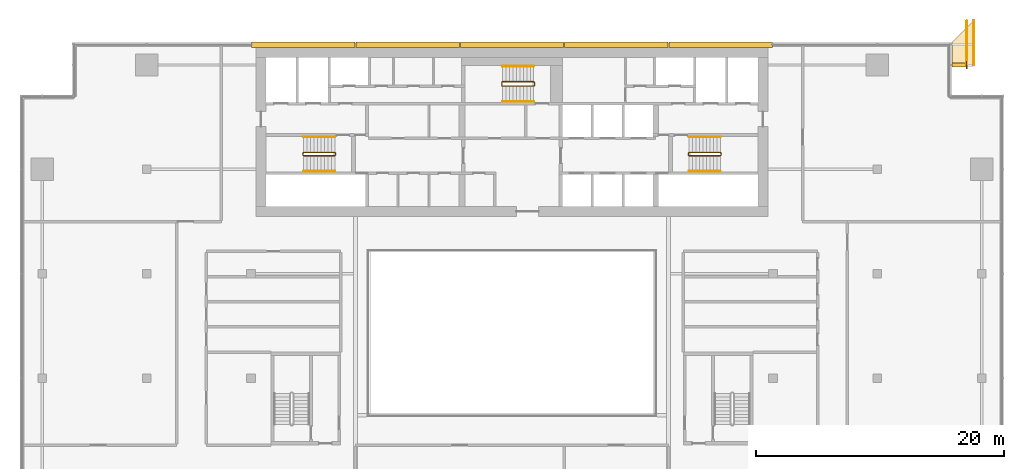
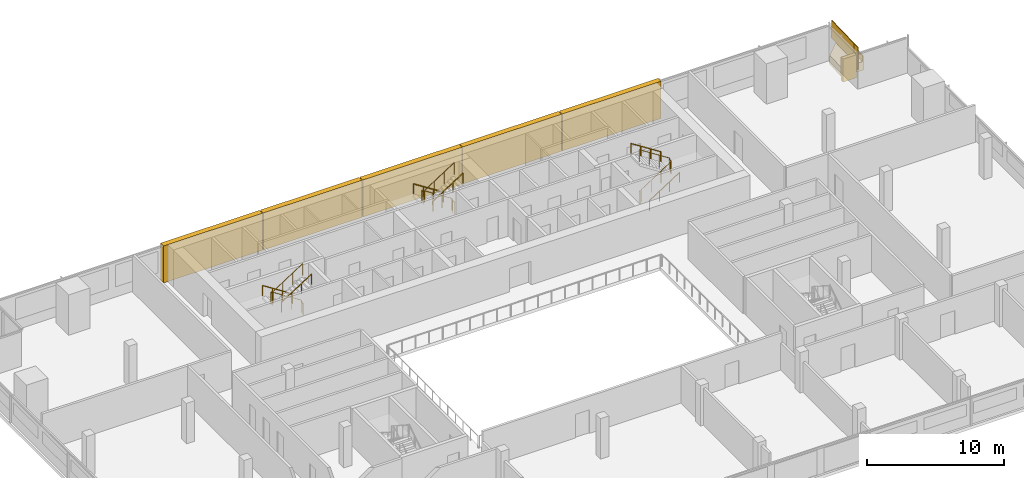
# One storey, part 24 of 24: 11 railings, 8 coverings.
"""IFC4 building model written with IfcOpenShell, lengths in metres."""

from ifc_helpers import new_model, si_unit, direction, frame, origin, origin_2d, place, context, subcontext, project, spatial, polyline, rectangle, circle, outline, extrude, material, layer, layer_set, type_object, element, save


model = new_model("IFC4")

# Units and contexts
model_context = context("Model", 3, precision=1e-05, world=origin(), true_north=direction((0.0, 1.0)))
body_context = subcontext(model_context, "Body", "Model", "MODEL_VIEW")
ifc_project = project(units=[si_unit("LENGTHUNIT", "METRE"), si_unit("AREAUNIT", "SQUARE_METRE"), si_unit("VOLUMEUNIT", "CUBIC_METRE"), si_unit("PLANEANGLEUNIT", "RADIAN"), si_unit("MASSUNIT", "GRAM", prefix="KILO")], contexts=[model_context])

# Site, building, storey
site_placement = place(None, origin())
site = spatial("IfcSite", under=ifc_project, at=site_placement, CompositionType="ELEMENT")
building_placement = place(site_placement, origin())
building = spatial("IfcBuilding", under=site, at=building_placement, Name="Saffron Gate Tower", CompositionType="ELEMENT")
storey_placement = place(building_placement, frame((0.0, 0.0, 190.64990234375)))
storey = spatial("IfcBuildingStorey", under=building, at=storey_placement, Name="L47", CompositionType="ELEMENT", Elevation=190.64990234375)

# Coverings
ifc_material_1 = material(Name="Ceramic-printed bronze insulated panel")
ifc_layer_1 = layer(ifc_material_1, 0.43994140625)
ifc_layer_set_1 = layer_set([ifc_layer_1], Name="CLD3 ceramic-printed cladding panel 440")
covering_type_1 = type_object("IfcCoveringType", Name="CLD3 ceramic-printed cladding panel 440", PredefinedType="CLADDING", material=ifc_layer_set_1)
covering_1_placement = place(storey_placement, origin())
element("IfcCovering", 1, at=covering_1_placement, inside=storey, type_object=covering_type_1, Name="CLADDING ceramic-printed panel", PredefinedType="CLADDING", context=body_context, shape_type="SweptSolid", body=[
    extrude(outline(polyline([(108.56494140625, 75.639892578125), (100.235107421875, 75.639892578125), (100.235107421875, 75.199951171875), (108.56494140625, 75.199951171875), (108.56494140625, 75.639892578125)])), origin(), (0.0, 0.0, 1.0), 3.300048828125),
])
covering_2_placement = place(storey_placement, origin())
element("IfcCovering", 2, at=covering_2_placement, inside=storey, type_object=covering_type_1, Name="CLADDING ceramic-printed panel", PredefinedType="CLADDING", context=body_context, shape_type="SweptSolid", body=[
    extrude(outline(polyline([(100.1650390625, 75.639892578125), (91.8349609375, 75.639892578125), (91.8349609375, 75.199951171875), (100.1650390625, 75.199951171875), (100.1650390625, 75.639892578125)])), origin(), (0.0, 0.0, 1.0), 3.300048828125),
])
covering_3_placement = place(storey_placement, origin())
element("IfcCovering", 3, at=covering_3_placement, inside=storey, type_object=covering_type_1, Name="CLADDING ceramic-printed panel", PredefinedType="CLADDING", context=body_context, shape_type="SweptSolid", body=[
    extrude(outline(polyline([(91.764892578125, 75.639892578125), (83.43505859375, 75.639892578125), (83.43505859375, 75.199951171875), (91.764892578125, 75.199951171875), (91.764892578125, 75.639892578125)])), origin(), (0.0, 0.0, 1.0), 3.300048828125),
])
covering_4_placement = place(storey_placement, origin())
element("IfcCovering", 4, at=covering_4_placement, inside=storey, type_object=covering_type_1, Name="CLADDING ceramic-printed panel", PredefinedType="CLADDING", context=body_context, shape_type="SweptSolid", body=[
    extrude(outline(polyline([(83.364990234375, 75.639892578125), (75.034912109375, 75.639892578125), (75.034912109375, 75.199951171875), (83.364990234375, 75.199951171875), (83.364990234375, 75.639892578125)])), origin(), (0.0, 0.0, 1.0), 3.300048828125),
])
covering_5_placement = place(storey_placement, origin())
element("IfcCovering", 5, at=covering_5_placement, inside=storey, type_object=covering_type_1, Name="CLADDING ceramic-printed panel", PredefinedType="CLADDING", context=body_context, shape_type="SweptSolid", body=[
    extrude(outline(polyline([(74.965087890625, 75.639892578125), (66.635009765625, 75.639892578125), (66.635009765625, 75.199951171875), (74.965087890625, 75.199951171875), (74.965087890625, 75.639892578125)])), origin(), (0.0, 0.0, 1.0), 3.300048828125),
])

# Railings
ifc_material_2 = material(Name="Stainless steel and laminated glass", Category="steel")
railing_type_1 = type_object("IfcRailingType", Name="CR1 Stair guard 1100", PredefinedType="GUARDRAIL", material=ifc_material_2)
railing_1_placement = place(storey_placement, frame((73.39990234375, 66.550048828125, 0.0)))
element("IfcRailing", 6, at=railing_1_placement, inside=storey, type_object=railing_type_1, Name="L47 ST-A stair guard 1", PredefinedType="GUARDRAIL", context=body_context, shape_type="SweptSolid", body=[
    extrude(circle(Radius=0.02392578125, at=origin_2d()), frame((0.0, 0.0, 1.076171875), z_axis=(0.0, 1.0, 0.0), x_axis=(-1.0, 0.0, 0.0)), (0.0, 0.0, 1.0), 0.14990234375),
    extrude(circle(Radius=0.02392578125, at=origin_2d()), frame((0.0, 0.14990234375, 1.076171875), z_axis=(-0.257366384619, 0.258627984543, 0.931060744355), x_axis=(-0.708833529934, -0.705375805398, 0.0)), (0.0, 0.0, 1.0), 0.193603515625),
    extrude(circle(Radius=0.02392578125, at=origin_2d()), frame((-0.0498046875, 0.199951171875, 1.25634765625), z_axis=(-0.841199657755, 0.0, 0.540724639528), x_axis=(0.0, -1.0, 0.0)), (0.0, 0.0, 1.0), 2.995849609375),
    extrude(circle(Radius=0.02392578125, at=origin_2d()), frame((-2.56982421875, 0.199951171875, 2.8759765625), z_axis=(-0.707106781187, -0.707106781187, 0.0), x_axis=(0.707106781187, -0.707106781187, 0.0)), (0.0, 0.0, 1.0), 0.07080078125),
    extrude(circle(Radius=0.02392578125, at=origin_2d()), frame((-2.619873046875, 0.14990234375, 2.8759765625), z_axis=(0.0, -1.0, 0.0), x_axis=(1.0, 0.0, 0.0)), (0.0, 0.0, 1.0), 0.14990234375),
    extrude(circle(Radius=0.02392578125, at=origin_2d()), frame((-2.619873046875, 0.0, 2.8759765625), z_axis=(0.258847668887, -0.258847668887, 0.930588936439), x_axis=(0.707106781187, 0.707106781187, 0.0)), (0.0, 0.0, 1.0), 0.193359375),
    extrude(circle(Radius=0.02392578125, at=origin_2d()), frame((-2.56982421875, -0.050048828125, 3.05615234375), z_axis=(0.841162588446, 0.0, 0.540782303519), x_axis=(0.0, 1.0, 0.0)), (0.0, 0.0, 1.0), 2.995849609375),
    extrude(circle(Radius=0.02099609375, at=origin_2d()), origin(), (0.0, 0.0, 1.0), 1.052001953125),
    extrude(circle(Radius=0.02099609375, at=origin_2d()), frame((0.0, 0.14990234375, 0.0)), (0.0, 0.0, 1.0), 1.052001953125),
    extrude(circle(Radius=0.02099609375, at=origin_2d()), frame((-0.0498046875, 0.199951171875, 0.18017578125)), (0.0, 0.0, 1.0), 1.052001953125),
    extrude(circle(Radius=0.02099609375, at=origin_2d()), frame((-0.889892578125, 0.199951171875, 0.72021484375)), (0.0, 0.0, 1.0), 1.052001953125),
    extrude(circle(Radius=0.02099609375, at=origin_2d()), frame((-1.729736328125, 0.199951171875, 1.260009765625)), (0.0, 0.0, 1.0), 1.052001953125),
    extrude(circle(Radius=0.02099609375, at=origin_2d()), frame((-2.56982421875, 0.199951171875, 1.800048828125)), (0.0, 0.0, 1.0), 1.052001953125),
    extrude(circle(Radius=0.02099609375, at=origin_2d()), frame((-2.619873046875, 0.14990234375, 1.800048828125)), (0.0, 0.0, 1.0), 1.052001953125),
    extrude(circle(Radius=0.02099609375, at=origin_2d()), frame((-2.619873046875, 0.0, 1.800048828125)), (0.0, 0.0, 1.0), 1.052001953125),
    extrude(circle(Radius=0.02099609375, at=origin_2d()), frame((-2.56982421875, -0.050048828125, 1.97998046875)), (0.0, 0.0, 1.0), 1.052001953125),
    extrude(circle(Radius=0.02099609375, at=origin_2d()), frame((-1.729736328125, -0.050048828125, 2.52001953125)), (0.0, 0.0, 1.0), 1.052001953125),
    extrude(circle(Radius=0.02099609375, at=origin_2d()), frame((-0.889892578125, -0.050048828125, 3.06005859375)), (0.0, 0.0, 1.0), 1.052001953125),
    extrude(circle(Radius=0.02099609375, at=origin_2d()), frame((-0.0498046875, -0.050048828125, 3.60009765625)), (0.0, 0.0, 1.0), 1.052001953125),
])
railing_2_placement = place(storey_placement, frame((101.800048828125, 66.699951171875, 0.0)))
element("IfcRailing", 7, at=railing_2_placement, inside=storey, type_object=railing_type_1, Name="L47 ST-B stair guard 1", PredefinedType="GUARDRAIL", context=body_context, shape_type="SweptSolid", body=[
    extrude(circle(Radius=0.02392578125, at=origin_2d()), frame((0.0, 0.0, 1.076171875), z_axis=(0.0, -1.0, 0.0), x_axis=(1.0, 0.0, 0.0)), (0.0, 0.0, 1.0), 0.14990234375),
    extrude(circle(Radius=0.02392578125, at=origin_2d()), frame((0.0, -0.14990234375, 1.076171875), z_axis=(0.258543844998, -0.258543844998, 0.930757841991), x_axis=(0.707106781187, 0.707106781187, 0.0)), (0.0, 0.0, 1.0), 0.193603515625),
    extrude(circle(Radius=0.02392578125, at=origin_2d()), frame((0.050048828125, -0.199951171875, 1.25634765625), z_axis=(0.841199657755, 0.0, 0.540724639528), x_axis=(0.0, 1.0, 0.0)), (0.0, 0.0, 1.0), 2.995849609375),
    extrude(circle(Radius=0.02392578125, at=origin_2d()), frame((2.570068359375, -0.199951171875, 2.8759765625), z_axis=(0.705375805398, 0.708833529934, 0.0), x_axis=(-0.708833529934, 0.705375805398, 0.0)), (0.0, 0.0, 1.0), 0.070556640625),
    extrude(circle(Radius=0.02392578125, at=origin_2d()), frame((2.619873046875, -0.14990234375, 2.8759765625), z_axis=(0.0, 1.0, 0.0), x_axis=(-1.0, 0.0, 0.0)), (0.0, 0.0, 1.0), 0.14990234375),
    extrude(circle(Radius=0.02392578125, at=origin_2d()), frame((2.619873046875, 0.0, 2.8759765625), z_axis=(-0.257669022063, 0.258932105505, 0.930892496375), x_axis=(-0.708833529934, -0.705375805398, 0.0)), (0.0, 0.0, 1.0), 0.193359375),
    extrude(circle(Radius=0.02392578125, at=origin_2d()), frame((2.570068359375, 0.050048828125, 3.05615234375), z_axis=(-0.841162588446, 0.0, 0.540782303519), x_axis=(0.0, -1.0, 0.0)), (0.0, 0.0, 1.0), 2.995849609375),
    extrude(circle(Radius=0.02099609375, at=origin_2d()), origin(), (0.0, 0.0, 1.0), 1.052001953125),
    extrude(circle(Radius=0.02099609375, at=origin_2d()), frame((0.0, -0.14990234375, 0.0)), (0.0, 0.0, 1.0), 1.052001953125),
    extrude(circle(Radius=0.02099609375, at=origin_2d()), frame((0.050048828125, -0.199951171875, 0.18017578125)), (0.0, 0.0, 1.0), 1.052001953125),
    extrude(circle(Radius=0.02099609375, at=origin_2d()), frame((0.89013671875, -0.199951171875, 0.72021484375)), (0.0, 0.0, 1.0), 1.052001953125),
    extrude(circle(Radius=0.02099609375, at=origin_2d()), frame((1.72998046875, -0.199951171875, 1.260009765625)), (0.0, 0.0, 1.0), 1.052001953125),
    extrude(circle(Radius=0.02099609375, at=origin_2d()), frame((2.570068359375, -0.199951171875, 1.800048828125)), (0.0, 0.0, 1.0), 1.052001953125),
    extrude(circle(Radius=0.02099609375, at=origin_2d()), frame((2.619873046875, -0.14990234375, 1.800048828125)), (0.0, 0.0, 1.0), 1.052001953125),
    extrude(circle(Radius=0.02099609375, at=origin_2d()), frame((2.619873046875, 0.0, 1.800048828125)), (0.0, 0.0, 1.0), 1.052001953125),
    extrude(circle(Radius=0.02099609375, at=origin_2d()), frame((2.570068359375, 0.050048828125, 1.97998046875)), (0.0, 0.0, 1.0), 1.052001953125),
    extrude(circle(Radius=0.02099609375, at=origin_2d()), frame((1.72998046875, 0.050048828125, 2.52001953125)), (0.0, 0.0, 1.0), 1.052001953125),
    extrude(circle(Radius=0.02099609375, at=origin_2d()), frame((0.89013671875, 0.050048828125, 3.06005859375)), (0.0, 0.0, 1.0), 1.052001953125),
    extrude(circle(Radius=0.02099609375, at=origin_2d()), frame((0.050048828125, 0.050048828125, 3.60009765625)), (0.0, 0.0, 1.0), 1.052001953125),
])
railing_3_placement = place(storey_placement, frame((89.39990234375, 72.14990234375, 0.0)))
element("IfcRailing", 8, at=railing_3_placement, inside=storey, type_object=railing_type_1, Name="L47 ST-C stair guard 1", PredefinedType="GUARDRAIL", context=body_context, shape_type="SweptSolid", body=[
    extrude(circle(Radius=0.02392578125, at=origin_2d()), frame((0.0, 0.0, 1.076171875), z_axis=(0.0, 1.0, 0.0), x_axis=(-1.0, 0.0, 0.0)), (0.0, 0.0, 1.0), 0.25),
    extrude(circle(Radius=0.02392578125, at=origin_2d()), frame((0.0, 0.25, 1.076171875), z_axis=(-0.257366384619, 0.258627984543, 0.931060744355), x_axis=(-0.708833529934, -0.705375805398, 0.0)), (0.0, 0.0, 1.0), 0.193603515625),
    extrude(circle(Radius=0.02392578125, at=origin_2d()), frame((-0.0498046875, 0.300048828125, 1.25634765625), z_axis=(-0.841199657755, 0.0, 0.540724639528), x_axis=(0.0, -1.0, 0.0)), (0.0, 0.0, 1.0), 2.995849609375),
    extrude(circle(Radius=0.02392578125, at=origin_2d()), frame((-2.56982421875, 0.300048828125, 2.8759765625), z_axis=(-0.707106781187, -0.707106781187, 0.0), x_axis=(0.707106781187, -0.707106781187, 0.0)), (0.0, 0.0, 1.0), 0.07080078125),
    extrude(circle(Radius=0.02392578125, at=origin_2d()), frame((-2.619873046875, 0.25, 2.8759765625), z_axis=(0.0, -1.0, 0.0), x_axis=(1.0, 0.0, 0.0)), (0.0, 0.0, 1.0), 0.25),
    extrude(circle(Radius=0.02392578125, at=origin_2d()), frame((-2.619873046875, 0.0, 2.8759765625), z_axis=(0.258932105505, -0.257669022063, 0.930892496375), x_axis=(0.705375805398, 0.708833529934, 0.0)), (0.0, 0.0, 1.0), 0.193359375),
    extrude(circle(Radius=0.02392578125, at=origin_2d()), frame((-2.56982421875, -0.0498046875, 3.05615234375), z_axis=(0.841162588446, 0.0, 0.540782303519), x_axis=(0.0, 1.0, 0.0)), (0.0, 0.0, 1.0), 2.995849609375),
    extrude(circle(Radius=0.02099609375, at=origin_2d()), origin(), (0.0, 0.0, 1.0), 1.052001953125),
    extrude(circle(Radius=0.02099609375, at=origin_2d()), frame((0.0, 0.25, 0.0)), (0.0, 0.0, 1.0), 1.052001953125),
    extrude(circle(Radius=0.02099609375, at=origin_2d()), frame((-0.0498046875, 0.300048828125, 0.18017578125)), (0.0, 0.0, 1.0), 1.052001953125),
    extrude(circle(Radius=0.02099609375, at=origin_2d()), frame((-0.889892578125, 0.300048828125, 0.72021484375)), (0.0, 0.0, 1.0), 1.052001953125),
    extrude(circle(Radius=0.02099609375, at=origin_2d()), frame((-1.729736328125, 0.300048828125, 1.260009765625)), (0.0, 0.0, 1.0), 1.052001953125),
    extrude(circle(Radius=0.02099609375, at=origin_2d()), frame((-2.56982421875, 0.300048828125, 1.800048828125)), (0.0, 0.0, 1.0), 1.052001953125),
    extrude(circle(Radius=0.02099609375, at=origin_2d()), frame((-2.619873046875, 0.25, 1.800048828125)), (0.0, 0.0, 1.0), 1.052001953125),
    extrude(circle(Radius=0.02099609375, at=origin_2d()), frame((-2.619873046875, 0.0, 1.800048828125)), (0.0, 0.0, 1.0), 1.052001953125),
    extrude(circle(Radius=0.02099609375, at=origin_2d()), frame((-2.56982421875, -0.0498046875, 1.97998046875)), (0.0, 0.0, 1.0), 1.052001953125),
    extrude(circle(Radius=0.02099609375, at=origin_2d()), frame((-1.729736328125, -0.0498046875, 2.52001953125)), (0.0, 0.0, 1.0), 1.052001953125),
    extrude(circle(Radius=0.02099609375, at=origin_2d()), frame((-0.889892578125, -0.0498046875, 3.06005859375)), (0.0, 0.0, 1.0), 1.052001953125),
    extrude(circle(Radius=0.02099609375, at=origin_2d()), frame((-0.0498046875, -0.0498046875, 3.60009765625)), (0.0, 0.0, 1.0), 1.052001953125),
])
ifc_material_3 = material(Name="Stainless steel", Category="steel")
railing_type_2 = type_object("IfcRailingType", Name="CR2 Stair handrail 900", PredefinedType="HANDRAIL", material=ifc_material_3)
railing_4_placement = place(storey_placement, frame((73.35009765625, 68.0, 0.18017578125)))
element("IfcRailing", 9, at=railing_4_placement, inside=storey, type_object=railing_type_2, Name="L47 ST-A stair handrail 1", PredefinedType="HANDRAIL", context=body_context, shape_type="SweptSolid", body=[
    extrude(circle(Radius=0.02392578125, at=origin_2d()), frame((0.0, 0.0, 0.8759765625), z_axis=(-0.841199657755, 0.0, 0.540724639528), x_axis=(0.0, -1.0, 0.0)), (0.0, 0.0, 1.0), 2.995849609375),
    extrude(circle(Radius=0.02099609375, at=origin_2d()), origin(), (0.0, 0.0, 1.0), 0.851806640625),
    extrude(circle(Radius=0.02099609375, at=origin_2d()), frame((-0.840087890625, 0.0, 0.5400390625)), (0.0, 0.0, 1.0), 0.851806640625),
    extrude(circle(Radius=0.02099609375, at=origin_2d()), frame((-1.679931640625, 0.0, 1.079833984375)), (0.0, 0.0, 1.0), 0.851806640625),
    extrude(circle(Radius=0.02099609375, at=origin_2d()), frame((-2.52001953125, 0.0, 1.619873046875)), (0.0, 0.0, 1.0), 0.851806640625),
])
railing_5_placement = place(storey_placement, frame((70.830078125, 65.25, 1.97998046875)))
element("IfcRailing", 10, at=railing_5_placement, inside=storey, type_object=railing_type_2, Name="L47 ST-A stair handrail 2", PredefinedType="HANDRAIL", context=body_context, shape_type="SweptSolid", body=[
    extrude(circle(Radius=0.02392578125, at=origin_2d()), frame((0.0, 0.0, 0.8759765625), z_axis=(0.841162588446, 0.0, 0.540782303519), x_axis=(0.0, 1.0, 0.0)), (0.0, 0.0, 1.0), 2.995849609375),
    extrude(circle(Radius=0.02099609375, at=origin_2d()), origin(), (0.0, 0.0, 1.0), 0.851806640625),
    extrude(circle(Radius=0.02099609375, at=origin_2d()), frame((0.840087890625, 0.0, 0.5400390625)), (0.0, 0.0, 1.0), 0.851806640625),
    extrude(circle(Radius=0.02099609375, at=origin_2d()), frame((1.679931640625, 0.0, 1.080078125)), (0.0, 0.0, 1.0), 0.851806640625),
    extrude(circle(Radius=0.02099609375, at=origin_2d()), frame((2.52001953125, 0.0, 1.6201171875)), (0.0, 0.0, 1.0), 0.851806640625),
])
railing_6_placement = place(storey_placement, frame((101.85009765625, 65.25, 0.18017578125)))
element("IfcRailing", 11, at=railing_6_placement, inside=storey, type_object=railing_type_2, Name="L47 ST-B stair handrail 1", PredefinedType="HANDRAIL", context=body_context, shape_type="SweptSolid", body=[
    extrude(circle(Radius=0.02392578125, at=origin_2d()), frame((0.0, 0.0, 0.8759765625), z_axis=(0.841199657755, 0.0, 0.540724639528), x_axis=(0.0, 1.0, 0.0)), (0.0, 0.0, 1.0), 2.995849609375),
    extrude(circle(Radius=0.02099609375, at=origin_2d()), origin(), (0.0, 0.0, 1.0), 0.851806640625),
    extrude(circle(Radius=0.02099609375, at=origin_2d()), frame((0.840087890625, 0.0, 0.5400390625)), (0.0, 0.0, 1.0), 0.851806640625),
    extrude(circle(Radius=0.02099609375, at=origin_2d()), frame((1.679931640625, 0.0, 1.079833984375)), (0.0, 0.0, 1.0), 0.851806640625),
    extrude(circle(Radius=0.02099609375, at=origin_2d()), frame((2.52001953125, 0.0, 1.619873046875)), (0.0, 0.0, 1.0), 0.851806640625),
])
railing_7_placement = place(storey_placement, frame((104.3701171875, 68.0, 1.97998046875)))
element("IfcRailing", 12, at=railing_7_placement, inside=storey, type_object=railing_type_2, Name="L47 ST-B stair handrail 2", PredefinedType="HANDRAIL", context=body_context, shape_type="SweptSolid", body=[
    extrude(circle(Radius=0.02392578125, at=origin_2d()), frame((0.0, 0.0, 0.8759765625), z_axis=(-0.841162588446, 0.0, 0.540782303519), x_axis=(0.0, -1.0, 0.0)), (0.0, 0.0, 1.0), 2.995849609375),
    extrude(circle(Radius=0.02099609375, at=origin_2d()), origin(), (0.0, 0.0, 1.0), 0.851806640625),
    extrude(circle(Radius=0.02099609375, at=origin_2d()), frame((-0.840087890625, 0.0, 0.5400390625)), (0.0, 0.0, 1.0), 0.851806640625),
    extrude(circle(Radius=0.02099609375, at=origin_2d()), frame((-1.679931640625, 0.0, 1.080078125)), (0.0, 0.0, 1.0), 0.851806640625),
    extrude(circle(Radius=0.02099609375, at=origin_2d()), frame((-2.52001953125, 0.0, 1.6201171875)), (0.0, 0.0, 1.0), 0.851806640625),
])
railing_8_placement = place(storey_placement, frame((89.35009765625, 73.699951171875, 0.18017578125)))
element("IfcRailing", 13, at=railing_8_placement, inside=storey, type_object=railing_type_2, Name="L47 ST-C stair handrail 1", PredefinedType="HANDRAIL", context=body_context, shape_type="SweptSolid", body=[
    extrude(circle(Radius=0.02392578125, at=origin_2d()), frame((0.0, 0.0, 0.8759765625), z_axis=(-0.841199657755, 0.0, 0.540724639528), x_axis=(0.0, -1.0, 0.0)), (0.0, 0.0, 1.0), 2.995849609375),
    extrude(circle(Radius=0.02099609375, at=origin_2d()), origin(), (0.0, 0.0, 1.0), 0.851806640625),
    extrude(circle(Radius=0.02099609375, at=origin_2d()), frame((-0.840087890625, 0.0, 0.5400390625)), (0.0, 0.0, 1.0), 0.851806640625),
    extrude(circle(Radius=0.02099609375, at=origin_2d()), frame((-1.679931640625, 0.0, 1.079833984375)), (0.0, 0.0, 1.0), 0.851806640625),
    extrude(circle(Radius=0.02099609375, at=origin_2d()), frame((-2.52001953125, 0.0, 1.619873046875)), (0.0, 0.0, 1.0), 0.851806640625),
])
railing_9_placement = place(storey_placement, frame((86.830078125, 70.85009765625, 1.97998046875)))
element("IfcRailing", 14, at=railing_9_placement, inside=storey, type_object=railing_type_2, Name="L47 ST-C stair handrail 2", PredefinedType="HANDRAIL", context=body_context, shape_type="SweptSolid", body=[
    extrude(circle(Radius=0.02392578125, at=origin_2d()), frame((0.0, 0.0, 0.8759765625), z_axis=(0.841162588446, 0.0, 0.540782303519), x_axis=(0.0, 1.0, 0.0)), (0.0, 0.0, 1.0), 2.995849609375),
    extrude(circle(Radius=0.02099609375, at=origin_2d()), origin(), (0.0, 0.0, 1.0), 0.851806640625),
    extrude(circle(Radius=0.02099609375, at=origin_2d()), frame((0.840087890625, 0.0, 0.5400390625)), (0.0, 0.0, 1.0), 0.851806640625),
    extrude(circle(Radius=0.02099609375, at=origin_2d()), frame((1.679931640625, 0.0, 1.080078125)), (0.0, 0.0, 1.0), 0.851806640625),
    extrude(circle(Radius=0.02099609375, at=origin_2d()), frame((2.52001953125, 0.0, 1.6201171875)), (0.0, 0.0, 1.0), 0.851806640625),
])

# Coverings
ifc_material_4 = material(Name="Timber, thermally modified ash", Category="wood")
ifc_layer_2 = layer(ifc_material_4, 0.800048828125)
ifc_layer_set_2 = layer_set([ifc_layer_2], Name="LD1 ledge timber")
covering_type_2 = type_object("IfcCoveringType", Name="LD1 ledge timber", PredefinedType="CLADDING", material=ifc_layer_set_2)
covering_6_placement = place(storey_placement, frame((123.0, 73.800048828125, 0.2490234375), z_axis=(4.3887651e-05, -0.028833291474, 0.999584233257), x_axis=(-1.925e-09, 0.99958423422, 0.028833291502)))
element("IfcCovering", 15, at=covering_6_placement, inside=storey, type_object=covering_type_2, Name="LEDGE", PredefinedType="CLADDING", context=body_context, shape_type="SweptSolid", body=[
    extrude(outline(polyline([(0.0, 0.0), (1.8007998168930421, -4.235164736271502e-22), (3.6013485518229187, -1.800048836792318), (-3.4656747156665518e-09, -1.8000488263914396), (0.0, 0.0)])), origin(), (0.0, 0.0, -1.0), 0.800048828125),
])
ifc_layer_3 = layer(ifc_material_4, 0.080078125)
ifc_layer_set_3 = layer_set([ifc_layer_3], Name="LD2 ledge planter trough")
covering_type_3 = type_object("IfcCoveringType", Name="LD2 ledge planter trough", PredefinedType="CLADDING", material=ifc_layer_set_3)
covering_7_placement = place(storey_placement, frame((124.800048828125, 73.800048828125, 0.2490234375), z_axis=(1.0, 0.0, 0.0), x_axis=(0.0, 0.999584866472, 0.028811364412)))
element("IfcCovering", 16, at=covering_7_placement, inside=storey, type_object=covering_type_3, Name="LEDGE planter trough", PredefinedType="CLADDING", context=body_context, shape_type="SweptSolid", body=[
    extrude(outline(polyline([(0.0, 0.0), (3.601348556155073, 0.0), (3.6157542383609322, 0.49979243323622236), (0.01440568220585924, 0.49979243323622236), (0.0, 0.0)])), origin(), (0.0, 0.0, -1.0), 0.080078125),
])
ifc_layer_4 = layer(ifc_material_4, 0.300048828125)
ifc_layer_set_4 = layer_set([ifc_layer_4], Name="LD3 ledge riser fin")
covering_type_4 = type_object("IfcCoveringType", Name="LD3 ledge riser fin", PredefinedType="CLADDING", material=ifc_layer_set_4)
covering_8_placement = place(storey_placement, frame((123.56005859375, 73.800048828125, -0.893798828125), z_axis=(0.0, 0.0, 1.0), x_axis=(0.0, 1.0, 0.0)))
element("IfcCovering", 17, at=covering_8_placement, inside=storey, type_object=covering_type_4, Name="LEDGE riser fin", PredefinedType="CLADDING", context=body_context, shape_type="SweptSolid", body=[
    extrude(rectangle(XDim=0.300048828125, YDim=1.1201171875, at=origin_2d()), origin(), (0.0, 0.0, 1.0), 2.04296875),
])

# Railings
railing_type_3 = type_object("IfcRailingType", Name="LG1 ledge balustrade", PredefinedType="BALUSTRADE", material=ifc_material_4)
railing_10_placement = place(storey_placement, frame((124.199951171875, 73.800048828125, 0.2490234375)))
element("IfcRailing", 18, at=railing_10_placement, inside=storey, type_object=railing_type_3, Name="LEDGE BALUSTRADE", PredefinedType="BALUSTRADE", context=body_context, shape_type="SweptSolid", body=[
    extrude(rectangle(XDim=0.06005859375, YDim=1.60009765625, at=origin_2d()), frame((0.0, 0.0, 0.800048828125), z_axis=(0.0, 0.999584866472, 0.028811364412), x_axis=(-1.0, 0.0, 0.0)), (0.0, 0.0, 1.0), 3.601318359375),
])
railing_11_placement = place(storey_placement, frame((124.199951171875, 73.5, -0.093994140625)))
element("IfcRailing", 19, at=railing_11_placement, inside=storey, type_object=railing_type_3, Name="LEDGE BALUSTRADE", PredefinedType="BALUSTRADE", context=body_context, shape_type="SweptSolid", body=[
    extrude(rectangle(XDim=0.06005859375, YDim=1.943115234375, at=origin_2d()), frame((0.0, 0.0, 0.9716796875), z_axis=(0.0, 1.0, 0.0), x_axis=(-1.0, 0.0, 0.0)), (0.0, 0.0, 1.0), 0.60009765625),
])

save(model, "model.ifc")
